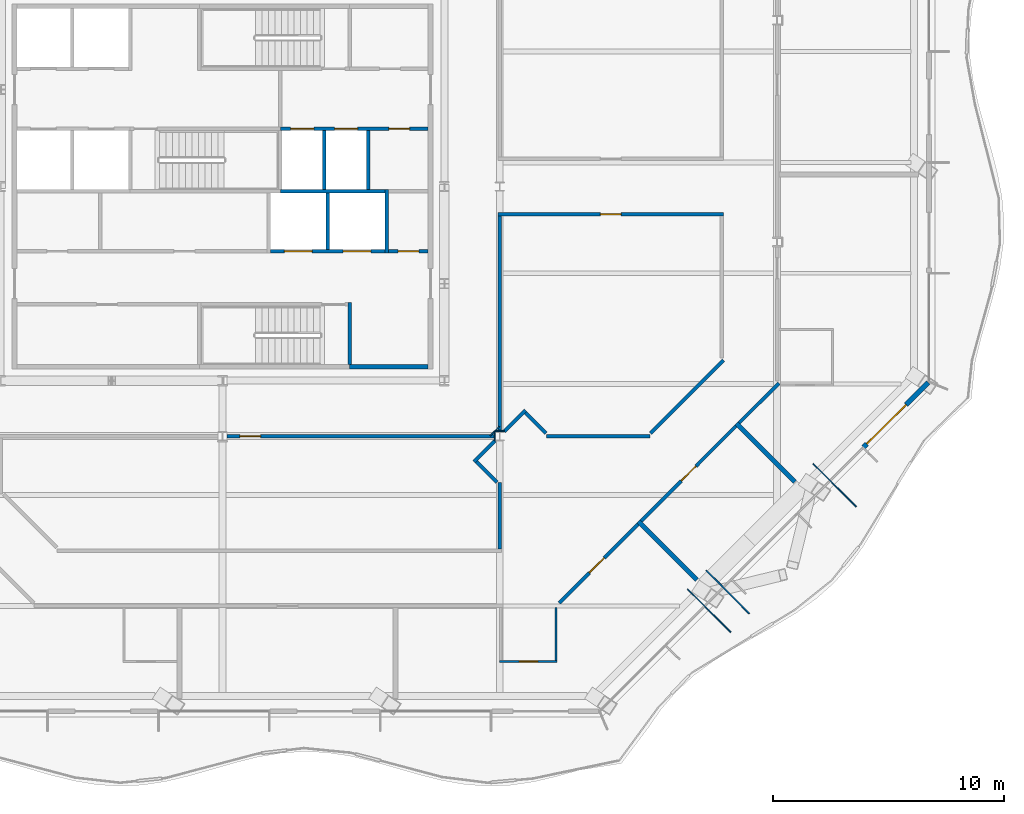
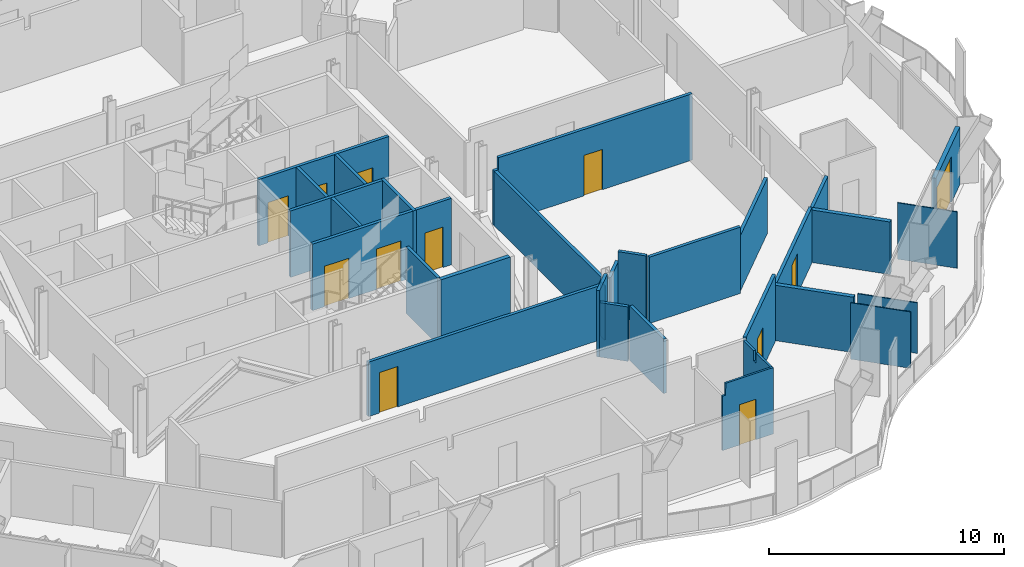
# One storey, part 9 of 21: 34 walls, 12 doors, 12 openings.
"""IFC4 building model written with IfcOpenShell, lengths in metres."""

from ifc_helpers import new_model, si_unit, direction, frame, frame_2d, origin, place, context, subcontext, project, spatial, polyline, rectangle, outline, extrude, material, layer, layer_set, type_object, element, fill, save


model = new_model("IFC4")

# Units and contexts
model_context = context("Model", 3, precision=1e-05, world=origin(), true_north=direction((0.0, 1.0)))
body_context = subcontext(model_context, "Body", "Model", "MODEL_VIEW")
ifc_project = project(units=[si_unit("LENGTHUNIT", "METRE"), si_unit("AREAUNIT", "SQUARE_METRE"), si_unit("VOLUMEUNIT", "CUBIC_METRE"), si_unit("PLANEANGLEUNIT", "RADIAN"), si_unit("MASSUNIT", "GRAM", prefix="KILO")], contexts=[model_context])

# Site, building, storey
site_placement = place(None, origin())
site = spatial("IfcSite", under=ifc_project, at=site_placement, CompositionType="ELEMENT")
building_placement = place(site_placement, origin())
building = spatial("IfcBuilding", under=site, at=building_placement, Name="Cairn Pilgrim Tower", CompositionType="ELEMENT")
storey_placement = place(building_placement, frame((0.0, 0.0, 183.0)))
storey = spatial("IfcBuildingStorey", under=building, at=storey_placement, Name="L46", CompositionType="ELEMENT", Elevation=183.0)

# Wall, opening, door
ifc_material_1 = material(Name="Bronze anodised aluminium insulated sandwich panel with mineral wool fill", Category="aluminium")
ifc_layer_1 = layer(ifc_material_1, 0.199951171875)
ifc_layer_set_1 = layer_set([ifc_layer_1], Name="BRONZE INFILL FRAME WALL 200")
wall_type_1 = type_object("IfcWallType", Name="BRONZE INFILL FRAME WALL 200", PredefinedType="NOTDEFINED", material=ifc_layer_set_1)
wall_1_placement = place(storey_placement, frame((34.945556640625, -8.8759765625, 0.0), z_axis=(0.0, 0.0, 1.0), x_axis=(0.707106781187, 0.707106781187, 0.0)))
wall_1 = element("IfcWall", 1, at=wall_1_placement, inside=storey, type_object=wall_type_1, Name="Bronze infill frame wall IW-SE5", PredefinedType="NOTDEFINED", context=body_context, shape_type="SweptSolid", body=[
    extrude(rectangle(XDim=3.961669921875, YDim=0.199951171875, at=frame_2d((1.98095703125, 0.0))), origin(), (0.0, 0.0, 1.0), 3.0),
])
opening_1_placement = place(wall_1_placement, frame((0.199951171875, 0.0, 0.0)))
opening_1 = element("IfcOpeningElement", 2, at=opening_1_placement, cuts=wall_1, Name="Opening 4604B", PredefinedType="OPENING", context=body_context, shape_type="SweptSolid", body=[
    extrude(rectangle(XDim=2.39990234375, YDim=2.39990234375, at=frame_2d((1.199951171875, 1.199951171875))), frame((0.0, 0.10986328125, 0.0), z_axis=(0.0, -1.0, 0.0), x_axis=(1.0, 0.0, 0.0)), (0.0, 0.0, 1.0), 0.219970703125),
])
ifc_material_2 = material(Name="Bronze anodised aluminium frame with tinted low-E glass", Category="aluminium")
door_type_1 = type_object("IfcDoorType", Name="BALCONY SLIDING DOOR 2400x2400", OperationType="DOUBLE_DOOR_SLIDING", PredefinedType="DOOR", material=ifc_material_2)
door_1_placement = place(opening_1_placement, origin())
door_1 = element("IfcDoor", 3, at=door_1_placement, inside=storey, type_object=door_type_1, Name="Balcony sliding door 4604B", OperationType="SINGLE_SWING_LEFT", OverallHeight=2.39990234375, OverallWidth=2.39990234375, PredefinedType="DOOR", context=body_context, shape_type="SweptSolid", body=[
    extrude(rectangle(XDim=2.39990234375, YDim=2.39990234375, at=frame_2d((1.199951171875, 1.199951171875))), frame((0.0, 0.02490234375, 0.0), z_axis=(0.0, -1.0, 0.0), x_axis=(1.0, 0.0, 0.0)), (0.0, 0.0, 1.0), 0.050048828125),
])
fill(opening_1, door_1)

# Wall
ifc_material_3 = material(Name="Concrete C32/40", Category="concrete")
ifc_layer_2 = layer(ifc_material_3, 0.199951171875)
ifc_layer_set_2 = layer_set([ifc_layer_2], Name="CORE OUTER WALL 200 EI 120")
wall_type_2 = type_object("IfcWallType", Name="CORE OUTER WALL 200 EI 120", PredefinedType="SOLIDWALL", material=ifc_layer_set_2)
wall_2_placement = place(storey_placement, frame((12.699951171875, -5.39990234375, 0.0), z_axis=(0.0, 0.0, 1.0), x_axis=(1.0, 0.0, 0.0)))
element("IfcWall", 4, at=wall_2_placement, inside=storey, type_object=wall_type_2, Name="CW:L46:H01-3", PredefinedType="SOLIDWALL", context=body_context, shape_type="SweptSolid", body=[
    extrude(rectangle(XDim=3.400146484375, YDim=0.199951171875, at=frame_2d((1.7001953125, 0.0))), origin(), (0.0, 0.0, 1.0), 3.449951171875),
])

# Wall, opening, door
ifc_layer_3 = layer(ifc_material_3, 0.14990234375)
ifc_layer_set_3 = layer_set([ifc_layer_3], Name="CORE PARTITION 150 EI 60")
wall_type_3 = type_object("IfcWallType", Name="CORE PARTITION 150 EI 60", PredefinedType="PARTITIONING", material=ifc_layer_set_3)
wall_3_placement = place(storey_placement, frame((14.375, -0.39990234375, 0.0), z_axis=(0.0, 0.0, 1.0), x_axis=(1.0, 0.0, 0.0)))
wall_3 = element("IfcWall", 5, at=wall_3_placement, inside=storey, type_object=wall_type_3, Name="CW:L46:H06", PredefinedType="PARTITIONING", context=body_context, shape_type="SweptSolid", body=[
    extrude(rectangle(XDim=1.72509765625, YDim=0.14990234375, at=frame_2d((0.862548828125, 0.0))), origin(), (0.0, 0.0, 1.0), 3.449951171875),
])
opening_2_placement = place(wall_3_placement, frame((0.425048828125, 0.0, 0.0)))
opening_2 = element("IfcOpeningElement", 6, at=opening_2_placement, cuts=wall_3, Name="Opening RD-R2E", PredefinedType="OPENING", context=body_context, shape_type="SweptSolid", body=[
    extrude(rectangle(XDim=0.89990234375, YDim=2.10009765625, at=frame_2d((0.449951171875, 1.050048828125))), frame((0.0, 0.0849609375, 0.0), z_axis=(0.0, -1.0, 0.0), x_axis=(1.0, 0.0, 0.0)), (0.0, 0.0, 1.0), 0.169921875),
])
ifc_material_4 = material(Name="Painted steel", Category="steel")
door_type_2 = type_object("IfcDoorType", Name="SERVICE ROOM DOOR 900x2100", OperationType="SINGLE_SWING_LEFT", PredefinedType="DOOR", material=ifc_material_4)
door_2_placement = place(opening_2_placement, origin())
door_2 = element("IfcDoor", 7, at=door_2_placement, inside=storey, type_object=door_type_2, Name="RD-R2E", OperationType="SINGLE_SWING_RIGHT", OverallHeight=2.10009765625, OverallWidth=0.89990234375, PredefinedType="DOOR", context=body_context, shape_type="SweptSolid", body=[
    extrude(rectangle(XDim=0.89990234375, YDim=2.10009765625, at=frame_2d((0.449951171875, 1.050048828125))), frame((0.0, 0.02490234375, 0.0), z_axis=(0.0, -1.0, 0.0), x_axis=(1.0, 0.0, 0.0)), (0.0, 0.0, 1.0), 0.050048828125),
])
fill(opening_2, door_2)

# Wall, openings, doors
ifc_layer_4 = layer(ifc_material_3, 0.14990234375)
ifc_layer_set_4 = layer_set([ifc_layer_4], Name="CORE SHAFT WALL 150 EI 120")
wall_type_4 = type_object("IfcWallType", Name="CORE SHAFT WALL 150 EI 120", PredefinedType="SOLIDWALL", material=ifc_layer_set_4)
wall_4_placement = place(storey_placement, frame((9.27490234375, -0.39990234375, 0.0), z_axis=(0.0, 0.0, 1.0), x_axis=(1.0, 0.0, 0.0)))
wall_4 = element("IfcWall", 8, at=wall_4_placement, inside=storey, type_object=wall_type_4, Name="CW:L46:H05", PredefinedType="SOLIDWALL", context=body_context, shape_type="SweptSolid", body=[
    extrude(rectangle(XDim=4.9501953125, YDim=0.14990234375, at=frame_2d((2.47509765625, 0.0))), origin(), (0.0, 0.0, 1.0), 3.449951171875),
])
opening_3_placement = place(wall_4_placement, frame((0.60009765625, 0.0, 0.0)))
opening_3 = element("IfcOpeningElement", 9, at=opening_3_placement, cuts=wall_4, Name="Opening LD-SV1", PredefinedType="OPENING", context=body_context, shape_type="SweptSolid", body=[
    extrude(rectangle(XDim=1.199951171875, YDim=2.10009765625, at=frame_2d((0.60009765625, 1.050048828125))), frame((0.0, 0.0849609375, 0.0), z_axis=(0.0, -1.0, 0.0), x_axis=(1.0, 0.0, 0.0)), (0.0, 0.0, 1.0), 0.169921875),
])
opening_4_placement = place(wall_4_placement, frame((3.14990234375, 0.0, 0.0)))
opening_4 = element("IfcOpeningElement", 10, at=opening_4_placement, cuts=wall_4, Name="Opening LD-SV2", PredefinedType="OPENING", context=body_context, shape_type="SweptSolid", body=[
    extrude(rectangle(XDim=1.199951171875, YDim=2.10009765625, at=frame_2d((0.60009765625, 1.050048828125))), frame((0.0, 0.0849609375, 0.0), z_axis=(0.0, -1.0, 0.0), x_axis=(1.0, 0.0, 0.0)), (0.0, 0.0, 1.0), 0.169921875),
])
ifc_material_5 = material(Name="Stainless steel", Category="steel")
door_type_3 = type_object("IfcDoorType", Name="LIFT LANDING DOOR 1200x2100", OperationType="DOUBLE_DOOR_SLIDING", PredefinedType="DOOR", material=ifc_material_5)
door_3_placement = place(opening_3_placement, origin())
door_3 = element("IfcDoor", 11, at=door_3_placement, inside=storey, type_object=door_type_3, Name="LANDING DOOR SV1", OperationType="DOUBLE_DOOR_SLIDING", OverallHeight=2.10009765625, OverallWidth=1.199951171875, PredefinedType="DOOR", context=body_context, shape_type="SweptSolid", body=[
    extrude(rectangle(XDim=1.199951171875, YDim=2.10009765625, at=frame_2d((0.60009765625, 1.050048828125))), frame((0.0, 0.02490234375, 0.0), z_axis=(0.0, -1.0, 0.0), x_axis=(1.0, 0.0, 0.0)), (0.0, 0.0, 1.0), 0.050048828125),
])
fill(opening_3, door_3)
door_4_placement = place(opening_4_placement, origin())
door_4 = element("IfcDoor", 12, at=door_4_placement, inside=storey, type_object=door_type_3, Name="LANDING DOOR SV2", OperationType="DOUBLE_DOOR_SLIDING", OverallHeight=2.10009765625, OverallWidth=1.199951171875, PredefinedType="DOOR", context=body_context, shape_type="SweptSolid", body=[
    extrude(rectangle(XDim=1.199951171875, YDim=2.10009765625, at=frame_2d((0.60009765625, 1.050048828125))), frame((0.0, 0.02490234375, 0.0), z_axis=(0.0, -1.0, 0.0), x_axis=(1.0, 0.0, 0.0)), (0.0, 0.0, 1.0), 0.050048828125),
])
fill(opening_4, door_4)

# Wall
wall_5_placement = place(storey_placement, frame((9.699951171875, 2.199951171875, 0.0), z_axis=(0.0, 0.0, 1.0), x_axis=(1.0, 0.0, 0.0)))
element("IfcWall", 13, at=wall_5_placement, inside=storey, type_object=wall_type_4, Name="CW:L46:H07-3", PredefinedType="SOLIDWALL", context=body_context, shape_type="SweptSolid", body=[
    extrude(rectangle(XDim=4.525146484375, YDim=0.14990234375, at=frame_2d((2.2626953125, 0.0))), origin(), (0.0, 0.0, 1.0), 3.449951171875),
])

# Wall, openings, doors
wall_6_placement = place(storey_placement, frame((9.699951171875, 4.89990234375, 0.0), z_axis=(0.0, 0.0, 1.0), x_axis=(1.0, 0.0, 0.0)))
wall_6 = element("IfcWall", 14, at=wall_6_placement, inside=storey, type_object=wall_type_4, Name="CW:L46:H09-3", PredefinedType="SOLIDWALL", context=body_context, shape_type="SweptSolid", body=[
    extrude(rectangle(XDim=6.400146484375, YDim=0.14990234375, at=frame_2d((3.2001953125, 0.0))), origin(), (0.0, 0.0, 1.0), 3.449951171875),
])
opening_5_placement = place(wall_6_placement, frame((0.449951171875, 0.0, 0.0)))
opening_5 = element("IfcOpeningElement", 15, at=opening_5_placement, cuts=wall_6, Name="Opening LD-FF1", PredefinedType="OPENING", context=body_context, shape_type="SweptSolid", body=[
    extrude(rectangle(XDim=1.0, YDim=2.10009765625, at=frame_2d((0.5, 1.050048828125))), frame((0.0, 0.0849609375, 0.0), z_axis=(0.0, -1.0, 0.0), x_axis=(1.0, 0.0, 0.0)), (0.0, 0.0, 1.0), 0.169921875),
])
opening_6_placement = place(wall_6_placement, frame((2.35009765625, 0.0, 0.0)))
opening_6 = element("IfcOpeningElement", 16, at=opening_6_placement, cuts=wall_6, Name="Opening LD-FF2", PredefinedType="OPENING", context=body_context, shape_type="SweptSolid", body=[
    extrude(rectangle(XDim=1.0, YDim=2.10009765625, at=frame_2d((0.5, 1.050048828125))), frame((0.0, 0.0849609375, 0.0), z_axis=(0.0, -1.0, 0.0), x_axis=(1.0, 0.0, 0.0)), (0.0, 0.0, 1.0), 0.169921875),
])
opening_7_placement = place(wall_6_placement, frame((4.699951171875, 0.0, 0.0)))
opening_7 = element("IfcOpeningElement", 17, at=opening_7_placement, cuts=wall_6, Name="Opening RD-R3E", PredefinedType="OPENING", context=body_context, shape_type="SweptSolid", body=[
    extrude(rectangle(XDim=0.89990234375, YDim=2.10009765625, at=frame_2d((0.449951171875, 1.050048828125))), frame((0.0, 0.0849609375, 0.0), z_axis=(0.0, -1.0, 0.0), x_axis=(1.0, 0.0, 0.0)), (0.0, 0.0, 1.0), 0.169921875),
])
door_type_4 = type_object("IfcDoorType", Name="LIFT LANDING DOOR FIRE 1000x2100", OperationType="DOUBLE_DOOR_SLIDING", PredefinedType="DOOR", material=ifc_material_5)
door_5_placement = place(opening_5_placement, origin())
door_5 = element("IfcDoor", 18, at=door_5_placement, inside=storey, type_object=door_type_4, Name="LANDING DOOR FF1", OperationType="DOUBLE_DOOR_SLIDING", OverallHeight=2.10009765625, OverallWidth=1.0, PredefinedType="DOOR", context=body_context, shape_type="SweptSolid", body=[
    extrude(rectangle(XDim=1.0, YDim=2.10009765625, at=frame_2d((0.5, 1.050048828125))), frame((0.0, 0.02490234375, 0.0), z_axis=(0.0, -1.0, 0.0), x_axis=(1.0, 0.0, 0.0)), (0.0, 0.0, 1.0), 0.050048828125),
])
fill(opening_5, door_5)
door_6_placement = place(opening_6_placement, origin())
door_6 = element("IfcDoor", 19, at=door_6_placement, inside=storey, type_object=door_type_4, Name="LANDING DOOR FF2", OperationType="DOUBLE_DOOR_SLIDING", OverallHeight=2.10009765625, OverallWidth=1.0, PredefinedType="DOOR", context=body_context, shape_type="SweptSolid", body=[
    extrude(rectangle(XDim=1.0, YDim=2.10009765625, at=frame_2d((0.5, 1.050048828125))), frame((0.0, 0.02490234375, 0.0), z_axis=(0.0, -1.0, 0.0), x_axis=(1.0, 0.0, 0.0)), (0.0, 0.0, 1.0), 0.050048828125),
])
fill(opening_6, door_6)
door_7_placement = place(opening_7_placement, origin())
door_7 = element("IfcDoor", 20, at=door_7_placement, inside=storey, type_object=door_type_2, Name="RD-R3E", OperationType="SINGLE_SWING_LEFT", OverallHeight=2.10009765625, OverallWidth=0.89990234375, PredefinedType="DOOR", context=body_context, shape_type="SweptSolid", body=[
    extrude(rectangle(XDim=0.89990234375, YDim=2.10009765625, at=frame_2d((0.449951171875, 1.050048828125))), frame((0.0, 0.02490234375, 0.0), z_axis=(0.0, -1.0, 0.0), x_axis=(1.0, 0.0, 0.0)), (0.0, 0.0, 1.0), 0.050048828125),
])
fill(opening_7, door_7)

# Walls
wall_7_placement = place(storey_placement, frame((11.60009765625, 2.27490234375, 0.0), z_axis=(0.0, 0.0, 1.0), x_axis=(0.0, 1.0, 0.0)))
element("IfcWall", 21, at=wall_7_placement, inside=storey, type_object=wall_type_4, Name="CW:L46:V24", PredefinedType="SOLIDWALL", context=body_context, shape_type="SweptSolid", body=[
    extrude(rectangle(XDim=2.550048828125, YDim=0.14990234375, at=frame_2d((1.27490234375, 0.0))), origin(), (0.0, 0.0, 1.0), 3.449951171875),
])
wall_8_placement = place(storey_placement, frame((11.75, -0.324951171875, 0.0), z_axis=(0.0, 0.0, 1.0), x_axis=(0.0, 1.0, 0.0)))
element("IfcWall", 22, at=wall_8_placement, inside=storey, type_object=wall_type_4, Name="CW:L46:V25", PredefinedType="SOLIDWALL", context=body_context, shape_type="SweptSolid", body=[
    extrude(rectangle(XDim=2.449951171875, YDim=0.14990234375, at=frame_2d((1.22509765625, 0.0))), origin(), (0.0, 0.0, 1.0), 3.449951171875),
])
wall_9_placement = place(storey_placement, frame((13.5, 2.27490234375, 0.0), z_axis=(0.0, 0.0, 1.0), x_axis=(0.0, 1.0, 0.0)))
element("IfcWall", 23, at=wall_9_placement, inside=storey, type_object=wall_type_4, Name="CW:L46:V28", PredefinedType="SOLIDWALL", context=body_context, shape_type="SweptSolid", body=[
    extrude(rectangle(XDim=2.550048828125, YDim=0.14990234375, at=frame_2d((1.27490234375, 0.0))), origin(), (0.0, 0.0, 1.0), 3.449951171875),
])
wall_10_placement = place(storey_placement, frame((14.300048828125, -0.47509765625, 0.0), z_axis=(0.0, 0.0, 1.0), x_axis=(0.0, 1.0, 0.0)))
element("IfcWall", 24, at=wall_10_placement, inside=storey, type_object=wall_type_4, Name="CW:L46:V29", PredefinedType="SOLIDWALL", context=body_context, shape_type="SweptSolid", body=[
    extrude(rectangle(XDim=2.75, YDim=0.14990234375, at=frame_2d((1.375, 0.0))), origin(), (0.0, 0.0, 1.0), 3.449951171875),
])

# Wall, opening, door
ifc_material_6 = material(Name="Gypsum partition")
ifc_layer_5 = layer(ifc_material_6, 0.10009765625)
ifc_layer_set_5 = layer_set([ifc_layer_5], Name="PARTITION 100 DRYWALL")
wall_type_5 = type_object("IfcWallType", Name="PARTITION 100 DRYWALL", PredefinedType="PARTITIONING", material=ifc_layer_set_5)
wall_11_placement = place(storey_placement, frame((19.18701171875, -18.14990234375, 0.0), z_axis=(0.0, 0.0, 1.0), x_axis=(1.0, 0.0, 0.0)))
wall_11 = element("IfcWall", 25, at=wall_11_placement, inside=storey, type_object=wall_type_5, Name="PARTITION W004", PredefinedType="PARTITIONING", context=body_context, shape_type="SweptSolid", body=[
    extrude(outline(polyline([(0.0, 0.0), (2.5, 0.0), (2.5, 3.449951171875), (0.1630859375, 3.449951171875), (0.160888671875, 2.830078125), (0.0, 2.830078125), (0.0, 0.0)])), frame((0.0, 0.050048828125, 0.0), z_axis=(0.0, -1.0, 0.0), x_axis=(1.0, 0.0, 0.0)), (0.0, 0.0, 1.0), 0.10009765625),
])
opening_8_placement = place(wall_11_placement, frame((0.85009765625, 0.0, 0.0)))
opening_8 = element("IfcOpeningElement", 26, at=opening_8_placement, cuts=wall_11, Name="Opening 4602A", PredefinedType="OPENING", context=body_context, shape_type="SweptSolid", body=[
    extrude(rectangle(XDim=0.800048828125, YDim=2.10009765625, at=frame_2d((0.39990234375, 1.050048828125))), frame((0.0, 0.06005859375, 0.0), z_axis=(0.0, -1.0, 0.0), x_axis=(1.0, 0.0, 0.0)), (0.0, 0.0, 1.0), 0.1201171875),
])
ifc_material_7 = material(Name="Timber door leaf", Category="wood")
door_type_5 = type_object("IfcDoorType", Name="WC DOOR 800x2100", OperationType="NOTDEFINED", PredefinedType="DOOR", material=ifc_material_7)
door_8_placement = place(opening_8_placement, frame((0.800048828125, 0.0, 0.0), z_axis=(0.0, 0.0, 1.0), x_axis=(-1.0, 0.0, 0.0)))
door_8 = element("IfcDoor", 27, at=door_8_placement, inside=storey, type_object=door_type_5, Name="DOOR 4602A", OperationType="SINGLE_SWING_RIGHT", OverallHeight=2.10009765625, OverallWidth=0.800048828125, PredefinedType="DOOR", context=body_context, shape_type="SweptSolid", body=[
    extrude(rectangle(XDim=0.800048828125, YDim=2.10009765625, at=frame_2d((0.39990234375, 1.050048828125))), frame((0.0, 0.02490234375, 0.0), z_axis=(0.0, -1.0, 0.0), x_axis=(1.0, 0.0, 0.0)), (0.0, 0.0, 1.0), 0.050048828125),
])
fill(opening_8, door_8)

# Wall
wall_12_placement = place(storey_placement, frame((21.636962890625, -18.10009765625, 0.0), z_axis=(0.0, 0.0, 1.0), x_axis=(0.0, 1.0, 0.0)))
element("IfcWall", 28, at=wall_12_placement, inside=storey, type_object=wall_type_5, Name="PARTITION W007", PredefinedType="PARTITIONING", context=body_context, shape_type="SweptSolid", body=[
    extrude(outline(polyline([(0.0, 0.0), (2.275146484375, 0.0), (2.27490234375, 3.449951171875), (1.39990234375, 3.449951171875), (1.39794921875, 2.929931640625), (1.199951171875, 2.929931640625), (1.197998046875, 3.449951171875), (0.0, 3.449951171875), (0.0, 0.0)])), frame((0.0, 0.050048828125, 0.0), z_axis=(0.0, -1.0, 0.0), x_axis=(1.0, 0.0, 0.0)), (0.0, 0.0, 1.0), 0.10009765625),
])

# Wall, opening, door
ifc_layer_6 = layer(ifc_material_6, 0.14990234375)
ifc_layer_set_6 = layer_set([ifc_layer_6], Name="PARTITION 150 DRYWALL EI 60")
wall_type_6 = type_object("IfcWallType", Name="PARTITION 150 DRYWALL EI 60", PredefinedType="PARTITIONING", material=ifc_layer_set_6)
wall_13_placement = place(storey_placement, frame((21.764892578125, -15.6220703125, 0.0), z_axis=(0.0, 0.0, 1.0), x_axis=(0.707106781187, 0.707106781187, 0.0)))
wall_13 = element("IfcWall", 29, at=wall_13_placement, inside=storey, type_object=wall_type_6, Name="PARTITION W011", PredefinedType="PARTITIONING", context=body_context, shape_type="SweptSolid", body=[
    extrude(rectangle(XDim=4.82861328125, YDim=0.14990234375, at=frame_2d((2.414306640625, 0.0))), origin(), (0.0, 0.0, 1.0), 3.449951171875),
])
opening_9_placement = place(wall_13_placement, frame((1.855712890625, 0.0, 0.0)))
opening_9 = element("IfcOpeningElement", 30, at=opening_9_placement, cuts=wall_13, Name="Opening 4602", PredefinedType="OPENING", context=body_context, shape_type="SweptSolid", body=[
    extrude(rectangle(XDim=0.89990234375, YDim=2.10009765625, at=frame_2d((0.449951171875, 1.050048828125))), frame((0.0, 0.0849609375, 0.0), z_axis=(0.0, -1.0, 0.0), x_axis=(1.0, 0.0, 0.0)), (0.0, 0.0, 1.0), 0.169921875),
])
door_type_6 = type_object("IfcDoorType", Name="ROOM DOOR 900x2100 FD30S", OperationType="NOTDEFINED", PredefinedType="DOOR", material=ifc_material_7)
door_9_placement = place(opening_9_placement, frame((0.89990234375, 0.0, 0.0), z_axis=(0.0, 0.0, 1.0), x_axis=(-1.0, 0.0, 0.0)))
door_9 = element("IfcDoor", 31, at=door_9_placement, inside=storey, type_object=door_type_6, Name="DOOR 4602", OperationType="SINGLE_SWING_RIGHT", OverallHeight=2.10009765625, OverallWidth=0.89990234375, PredefinedType="DOOR", context=body_context, shape_type="SweptSolid", body=[
    extrude(rectangle(XDim=0.89990234375, YDim=2.10009765625, at=frame_2d((0.449951171875, 1.050048828125))), frame((0.0, 0.02490234375, 0.0), z_axis=(0.0, -1.0, 0.0), x_axis=(1.0, 0.0, 0.0)), (0.0, 0.0, 1.0), 0.050048828125),
])
fill(opening_9, door_9)

# Wall
wall_14_placement = place(storey_placement, frame((19.199951171875, -13.27490234375, 0.0), z_axis=(0.0, 0.0, 1.0), x_axis=(0.0, 1.0, 0.0)))
element("IfcWall", 32, at=wall_14_placement, inside=storey, type_object=wall_type_6, Name="PARTITION W015", PredefinedType="PARTITIONING", context=body_context, shape_type="SweptSolid", body=[
    extrude(rectangle(XDim=2.85986328125, YDim=0.14990234375, at=frame_2d((1.429931640625, 0.0))), origin(), (0.0, 0.0, 1.0), 2.830078125),
])

# Wall, opening, door
wall_15_placement = place(storey_placement, frame((25.32080078125, -12.06640625, 0.0), z_axis=(0.0, 0.0, 1.0), x_axis=(0.707001564794, 0.707211981926, 0.0)))
wall_15 = element("IfcWall", 33, at=wall_15_placement, inside=storey, type_object=wall_type_6, Name="PARTITION W017", PredefinedType="PARTITIONING", context=body_context, shape_type="SweptSolid", body=[
    extrude(rectangle(XDim=5.80126953125, YDim=0.14990234375, at=frame_2d((2.900634765625, 0.0))), origin(), (0.0, 0.0, 1.0), 2.8798828125),
])
opening_10_placement = place(wall_15_placement, frame((2.4501953125, 0.0, 0.0)))
opening_10 = element("IfcOpeningElement", 34, at=opening_10_placement, cuts=wall_15, Name="Opening 4603", PredefinedType="OPENING", context=body_context, shape_type="SweptSolid", body=[
    extrude(rectangle(XDim=0.89990234375, YDim=2.10009765625, at=frame_2d((0.449951171875, 1.050048828125))), frame((0.0, 0.0849609375, 0.0), z_axis=(0.0, -1.0, 0.0), x_axis=(1.0, 0.0, 0.0)), (0.0, 0.0, 1.0), 0.169921875),
])
door_type_7 = type_object("IfcDoorType", Name="SERVICE DOOR 900x2100 FD30S", OperationType="NOTDEFINED", PredefinedType="DOOR", material=ifc_material_7)
door_10_placement = place(opening_10_placement, frame((0.89990234375, 0.0, 0.0), z_axis=(0.0, 0.0, 1.0), x_axis=(-1.0, 0.0, 0.0)))
door_10 = element("IfcDoor", 35, at=door_10_placement, inside=storey, type_object=door_type_7, Name="DOOR 4603", OperationType="SINGLE_SWING_RIGHT", OverallHeight=2.10009765625, OverallWidth=0.89990234375, PredefinedType="DOOR", context=body_context, shape_type="SweptSolid", body=[
    extrude(rectangle(XDim=0.89990234375, YDim=2.10009765625, at=frame_2d((0.449951171875, 1.050048828125))), frame((0.0, 0.02490234375, 0.0), z_axis=(0.0, -1.0, 0.0), x_axis=(1.0, 0.0, 0.0)), (0.0, 0.0, 1.0), 0.050048828125),
])
fill(opening_10, door_10)

# Walls
wall_16_placement = place(storey_placement, frame((19.072021484375, -10.39306640625, 0.0), z_axis=(0.0, 0.0, 1.0), x_axis=(-0.70740114323, 0.706812296552, 0.0)))
element("IfcWall", 36, at=wall_16_placement, inside=storey, type_object=wall_type_6, Name="PARTITION W021", PredefinedType="PARTITIONING", context=body_context, shape_type="SweptSolid", body=[
    extrude(rectangle(XDim=1.243896484375, YDim=0.14990234375, at=frame_2d((0.6220703125, 0.0))), origin(), (0.0, 0.0, 1.0), 2.830078125),
])
wall_17_placement = place(storey_placement, frame((18.0859375, -9.513916015625, 0.0), z_axis=(0.0, 0.0, 1.0), x_axis=(0.707106781187, 0.707106781187, 0.0)))
element("IfcWall", 37, at=wall_17_placement, inside=storey, type_object=wall_type_6, Name="PARTITION W023", PredefinedType="PARTITIONING", context=body_context, shape_type="SweptSolid", body=[
    extrude(rectangle(XDim=1.29541015625, YDim=0.14990234375, at=frame_2d((0.647705078125, 0.0))), origin(), (0.0, 0.0, 1.0), 3.449951171875),
])

# Wall, opening, door
wall_18_placement = place(storey_placement, frame((7.3994140625, -8.39990234375, 0.0), z_axis=(0.0, 0.0, 1.0), x_axis=(1.0, 0.0, 0.0)))
wall_18 = element("IfcWall", 38, at=wall_18_placement, inside=storey, type_object=wall_type_6, Name="PARTITION W027", PredefinedType="PARTITIONING", context=body_context, shape_type="SweptSolid", body=[
    extrude(rectangle(XDim=11.60107421875, YDim=0.14990234375, at=frame_2d((5.800537109375, 0.0))), origin(), (0.0, 0.0, 1.0), 2.830078125),
])
opening_11_placement = place(wall_18_placement, frame((0.550537109375, 0.0, 0.0)))
opening_11 = element("IfcOpeningElement", 39, at=opening_11_placement, cuts=wall_18, Name="Opening 4627", PredefinedType="OPENING", context=body_context, shape_type="SweptSolid", body=[
    extrude(rectangle(XDim=0.89990234375, YDim=2.10009765625, at=frame_2d((0.449951171875, 1.050048828125))), frame((0.0, 0.0849609375, 0.0), z_axis=(0.0, -1.0, 0.0), x_axis=(1.0, 0.0, 0.0)), (0.0, 0.0, 1.0), 0.169921875),
])
door_11_placement = place(opening_11_placement, frame((0.89990234375, 0.0, 0.0), z_axis=(0.0, 0.0, 1.0), x_axis=(-1.0, 0.0, 0.0)))
door_11 = element("IfcDoor", 40, at=door_11_placement, inside=storey, type_object=door_type_7, Name="DOOR 4627", OperationType="SINGLE_SWING_RIGHT", OverallHeight=2.10009765625, OverallWidth=0.89990234375, PredefinedType="DOOR", context=body_context, shape_type="SweptSolid", body=[
    extrude(rectangle(XDim=0.89990234375, YDim=2.10009765625, at=frame_2d((0.449951171875, 1.050048828125))), frame((0.0, 0.02490234375, 0.0), z_axis=(0.0, -1.0, 0.0), x_axis=(1.0, 0.0, 0.0)), (0.0, 0.0, 1.0), 0.050048828125),
])
fill(opening_11, door_11)

# Walls
wall_19_placement = place(storey_placement, frame((21.215087890625, -8.39990234375, 0.0), z_axis=(0.0, 0.0, 1.0), x_axis=(1.0, 0.0, 0.0)))
element("IfcWall", 41, at=wall_19_placement, inside=storey, type_object=wall_type_6, Name="PARTITION W028", PredefinedType="PARTITIONING", context=body_context, shape_type="SweptSolid", body=[
    extrude(rectangle(XDim=4.484130859375, YDim=0.14990234375, at=frame_2d((2.2421875, 0.0))), origin(), (0.0, 0.0, 1.0), 3.449951171875),
])
wall_20_placement = place(storey_placement, frame((21.193115234375, -8.27197265625, 0.0), z_axis=(0.0, 0.0, 1.0), x_axis=(-0.706812296552, 0.70740114323, 0.0)))
element("IfcWall", 42, at=wall_20_placement, inside=storey, type_object=wall_type_6, Name="PARTITION W029", PredefinedType="PARTITIONING", context=body_context, shape_type="SweptSolid", body=[
    extrude(rectangle(XDim=1.243896484375, YDim=0.14990234375, at=frame_2d((0.6220703125, 0.0))), origin(), (0.0, 0.0, 1.0), 3.449951171875),
])
wall_21_placement = place(storey_placement, frame((25.720947265625, -8.27197265625, 0.0), z_axis=(0.0, 0.0, 1.0), x_axis=(0.707106781187, 0.707106781187, 0.0)))
element("IfcWall", 43, at=wall_21_placement, inside=storey, type_object=wall_type_6, Name="PARTITION W030", PredefinedType="PARTITIONING", context=body_context, shape_type="SweptSolid", body=[
    extrude(rectangle(XDim=4.46044921875, YDim=0.14990234375, at=frame_2d((2.230224609375, 0.0))), origin(), (0.0, 0.0, 1.0), 2.8798828125),
])
wall_22_placement = place(storey_placement, frame((19.199951171875, -8.20361328125, 0.0), z_axis=(0.0, 0.0, 1.0), x_axis=(0.0, 1.0, 0.0)))
element("IfcWall", 44, at=wall_22_placement, inside=storey, type_object=wall_type_6, Name="PARTITION W033", PredefinedType="PARTITIONING", context=body_context, shape_type="SweptSolid", body=[
    extrude(rectangle(XDim=9.32861328125, YDim=0.14990234375, at=frame_2d((4.664306640625, 0.0))), origin(), (0.0, 0.0, 1.0), 2.830078125),
])
wall_23_placement = place(storey_placement, frame((19.39794921875, -8.201904296875, 0.0), z_axis=(0.0, 0.0, 1.0), x_axis=(0.707200993001, 0.707012556818, 0.0)))
element("IfcWall", 45, at=wall_23_placement, inside=storey, type_object=wall_type_6, Name="PARTITION W034", PredefinedType="PARTITIONING", context=body_context, shape_type="SweptSolid", body=[
    extrude(rectangle(XDim=1.295654296875, YDim=0.14990234375, at=frame_2d((0.64794921875, 0.0))), origin(), (0.0, 0.0, 1.0), 2.8798828125),
])
wall_24_placement = place(storey_placement, frame((29.563720703125, -7.822265625, 0.0), z_axis=(0.0, 0.0, 1.0), x_axis=(0.707308581055, 0.706904923711, 0.0)))
element("IfcWall", 46, at=wall_24_placement, inside=storey, type_object=wall_type_6, Name="PARTITION W035", PredefinedType="PARTITIONING", context=body_context, shape_type="SweptSolid", body=[
    extrude(rectangle(XDim=2.419189453125, YDim=0.14990234375, at=frame_2d((1.20947265625, 0.0))), origin(), (0.0, 0.0, 1.0), 2.72998046875),
])

# Wall, opening, door
wall_25_placement = place(storey_placement, frame((19.125, 1.199951171875, 0.0), z_axis=(0.0, 0.0, 1.0), x_axis=(1.0, 0.0, 0.0)))
wall_25 = element("IfcWall", 47, at=wall_25_placement, inside=storey, type_object=wall_type_6, Name="PARTITION W047", PredefinedType="PARTITIONING", context=body_context, shape_type="SweptSolid", body=[
    extrude(outline(polyline([(0.0, 0.0), (9.75, 0.0), (9.75, 3.449951171875), (0.22509765625, 3.449951171875), (0.222900390625, 2.830078125), (0.0, 2.830078125), (0.0, 0.0)])), frame((0.0, 0.074951171875, 0.0), z_axis=(0.0, -1.0, 0.0), x_axis=(1.0, 0.0, 0.0)), (0.0, 0.0, 1.0), 0.14990234375),
])
opening_12_placement = place(wall_25_placement, frame((4.425048828125, 0.0, 0.0)))
opening_12 = element("IfcOpeningElement", 48, at=opening_12_placement, cuts=wall_25, Name="Opening 4620", PredefinedType="OPENING", context=body_context, shape_type="SweptSolid", body=[
    extrude(rectangle(XDim=0.89990234375, YDim=2.10009765625, at=frame_2d((0.449951171875, 1.050048828125))), frame((0.0, 0.0849609375, 0.0), z_axis=(0.0, -1.0, 0.0), x_axis=(1.0, 0.0, 0.0)), (0.0, 0.0, 1.0), 0.169921875),
])
door_12_placement = place(opening_12_placement, frame((0.89990234375, 0.0, 0.0), z_axis=(0.0, 0.0, 1.0), x_axis=(-1.0, 0.0, 0.0)))
door_12 = element("IfcDoor", 49, at=door_12_placement, inside=storey, type_object=door_type_7, Name="DOOR 4620", OperationType="SINGLE_SWING_RIGHT", OverallHeight=2.10009765625, OverallWidth=0.89990234375, PredefinedType="DOOR", context=body_context, shape_type="SweptSolid", body=[
    extrude(rectangle(XDim=0.89990234375, YDim=2.10009765625, at=frame_2d((0.449951171875, 1.050048828125))), frame((0.0, 0.02490234375, 0.0), z_axis=(0.0, -1.0, 0.0), x_axis=(1.0, 0.0, 0.0)), (0.0, 0.0, 1.0), 0.050048828125),
])
fill(opening_12, door_12)

# Walls
ifc_layer_7 = layer(ifc_material_6, 0.050048828125)
ifc_layer_set_7 = layer_set([ifc_layer_7], Name="PARTITION 50 DRYWALL EI 60")
wall_type_7 = type_object("IfcWallType", Name="PARTITION 50 DRYWALL EI 60", PredefinedType="PARTITIONING", material=ifc_layer_set_7)
wall_26_placement = place(storey_placement, frame((29.19287109375, -16.887451171875, 0.0), z_axis=(0.0, 0.0, 1.0), x_axis=(-0.707106781187, 0.707106781187, 0.0)))
element("IfcWall", 50, at=wall_26_placement, inside=storey, type_object=wall_type_7, Name="COLUMN CASING WC03", PredefinedType="PARTITIONING", context=body_context, shape_type="SweptSolid", body=[
    extrude(rectangle(XDim=2.638427734375, YDim=0.050048828125, at=frame_2d((1.3193359375, 0.0))), origin(), (0.0, 0.0, 1.0), 2.929931640625),
])
wall_27_placement = place(storey_placement, frame((30.000732421875, -16.07958984375, 0.0), z_axis=(0.0, 0.0, 1.0), x_axis=(-0.707106781187, 0.707106781187, 0.0)))
element("IfcWall", 51, at=wall_27_placement, inside=storey, type_object=wall_type_7, Name="COLUMN CASING WC04", PredefinedType="PARTITIONING", context=body_context, shape_type="SweptSolid", body=[
    extrude(rectangle(XDim=2.638427734375, YDim=0.050048828125, at=frame_2d((1.3193359375, 0.0))), origin(), (0.0, 0.0, 1.0), 2.6298828125),
])
wall_28_placement = place(storey_placement, frame((34.625, -11.455322265625, 0.0), z_axis=(0.0, 0.0, 1.0), x_axis=(-0.707106781187, 0.707106781187, 0.0)))
element("IfcWall", 52, at=wall_28_placement, inside=storey, type_object=wall_type_7, Name="COLUMN CASING WC07", PredefinedType="PARTITIONING", context=body_context, shape_type="SweptSolid", body=[
    extrude(rectangle(XDim=2.638427734375, YDim=0.050048828125, at=frame_2d((1.3193359375, 0.0))), origin(), (0.0, 0.0, 1.0), 2.929931640625),
])
wall_29_placement = place(storey_placement, frame((18.786376953125, -8.38232421875, 0.0), z_axis=(0.0, 0.0, 1.0), x_axis=(0.707106781187, 0.707106781187, 0.0)))
element("IfcWall", 53, at=wall_29_placement, inside=storey, type_object=wall_type_7, Name="COLUMN CASING WC08", PredefinedType="PARTITIONING", context=body_context, shape_type="SweptSolid", body=[
    extrude(rectangle(XDim=0.56005859375, YDim=0.050048828125, at=frame_2d((0.280029296875, 0.0))), origin(), (0.0, 0.0, 1.0), 2.830078125),
])
wall_30_placement = place(storey_placement, frame((19.00048828125, -8.178466796875, 0.0), z_axis=(0.0, 0.0, 1.0), x_axis=(1.0, 0.0, 0.0)))
element("IfcWall", 54, at=wall_30_placement, inside=storey, type_object=wall_type_7, Name="COLUMN CASING WC11", PredefinedType="PARTITIONING", context=body_context, shape_type="SweptSolid", body=[
    extrude(rectangle(XDim=0.39892578125, YDim=0.050048828125, at=frame_2d((0.199462890625, 0.0))), origin(), (0.0, 0.0, 1.0), 2.830078125),
])
wall_31_placement = place(storey_placement, frame((18.9755859375, -8.596435546875, 0.0), z_axis=(0.0, 0.0, 1.0), x_axis=(0.0, 1.0, 0.0)))
element("IfcWall", 55, at=wall_31_placement, inside=storey, type_object=wall_type_7, Name="COLUMN CASING WC13", PredefinedType="PARTITIONING", context=body_context, shape_type="SweptSolid", body=[
    extrude(rectangle(XDim=0.392822265625, YDim=0.050048828125, at=frame_2d((0.1962890625, 0.0))), origin(), (0.0, 0.0, 1.0), 2.830078125),
])
ifc_layer_8 = layer(ifc_material_6, 0.199951171875)
ifc_layer_set_8 = layer_set([ifc_layer_8], Name="SHAFT WALL 200 GYPSUM EI 60")
wall_type_8 = type_object("IfcWallType", Name="SHAFT WALL 200 GYPSUM EI 60", PredefinedType="PARTITIONING", material=ifc_layer_set_8)
wall_32_placement = place(storey_placement, frame((27.73095703125, -14.617919921875, 0.0), z_axis=(0.0, 0.0, 1.0), x_axis=(-0.707106781187, 0.707106781187, 0.0)))
element("IfcWall", 56, at=wall_32_placement, inside=storey, type_object=wall_type_8, Name="PARTITION W013", PredefinedType="PARTITIONING", context=body_context, shape_type="SweptSolid", body=[
    extrude(rectangle(XDim=3.58349609375, YDim=0.199951171875, at=frame_2d((1.791748046875, 0.0))), origin(), (0.0, 0.0, 1.0), 2.8798828125),
])
wall_33_placement = place(storey_placement, frame((31.974609375, -10.37451171875, 0.0), z_axis=(0.0, 0.0, 1.0), x_axis=(-0.707140836465, 0.707072724268, 0.0)))
element("IfcWall", 57, at=wall_33_placement, inside=storey, type_object=wall_type_8, Name="PARTITION W022", PredefinedType="PARTITIONING", context=body_context, shape_type="SweptSolid", body=[
    extrude(rectangle(XDim=3.58447265625, YDim=0.199951171875, at=frame_2d((1.792236328125, 0.0))), origin(), (0.0, 0.0, 1.0), 2.72998046875),
])
ifc_material_8 = material(Name="Concrete C35/45", Category="concrete")
ifc_layer_9 = layer(ifc_material_8, 0.14990234375)
ifc_layer_set_9 = layer_set([ifc_layer_9], Name="STAIR SHAFT WALL 150 EI 120")
wall_type_9 = type_object("IfcWallType", Name="STAIR SHAFT WALL 150 EI 120", PredefinedType="SOLIDWALL", material=ifc_layer_set_9)
wall_34_placement = place(storey_placement, frame((12.699951171875, -5.300048828125, 0.0), z_axis=(0.0, 0.0, 1.0), x_axis=(0.0, 1.0, 0.0)))
element("IfcWall", 58, at=wall_34_placement, inside=storey, type_object=wall_type_9, Name="CW:L46:V26", PredefinedType="SOLIDWALL", context=body_context, shape_type="SweptSolid", body=[
    extrude(rectangle(XDim=2.675048828125, YDim=0.14990234375, at=frame_2d((1.33740234375, 0.0))), origin(), (0.0, 0.0, 1.0), 3.449951171875),
])

save(model, "model.ifc")
